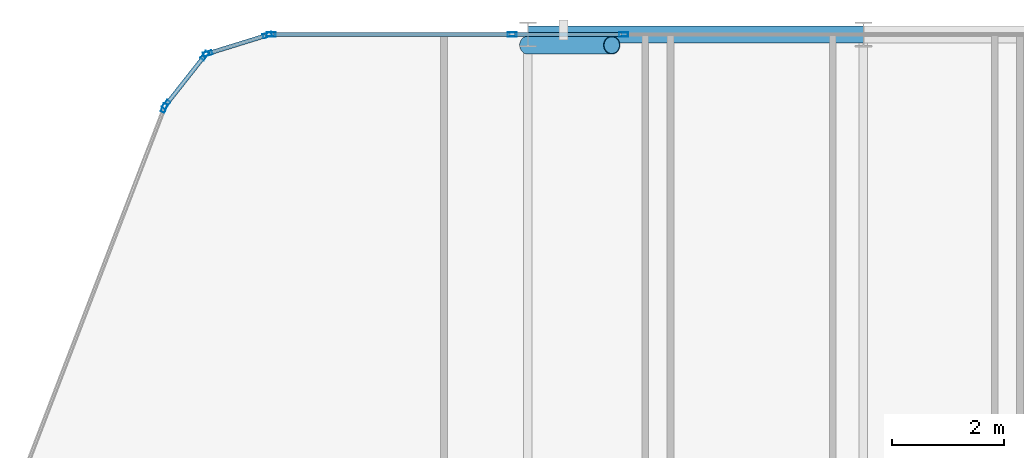
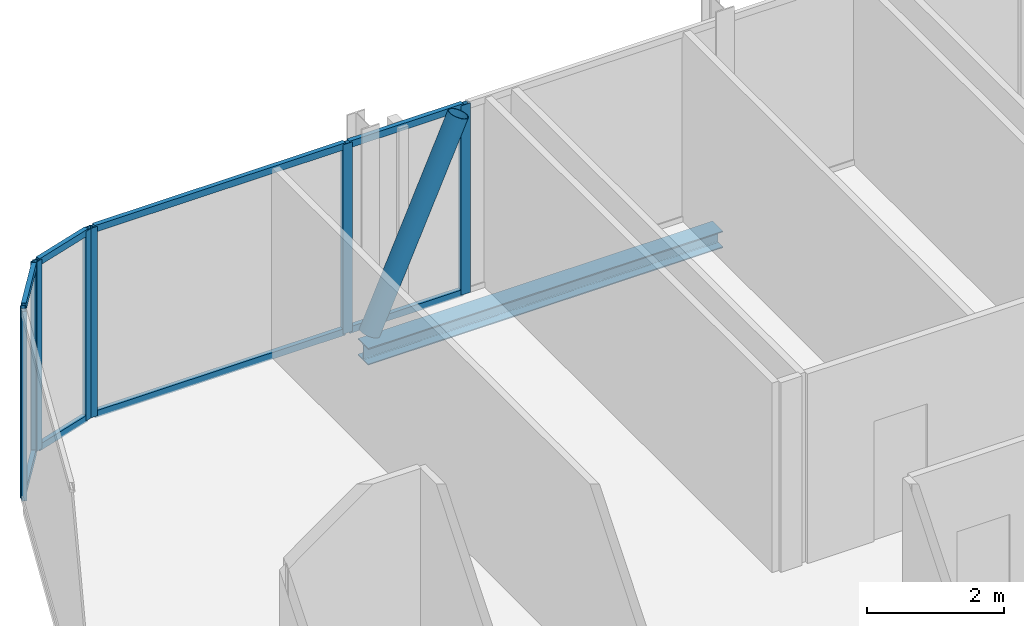
# One storey, part 18 of 29: 17 members, 1 beam, 5 elements without a shape of their own.
"""IFC4 building model written with IfcOpenShell, lengths in metres."""

import ifcopenshell
import ifcopenshell.guid

model = None  # the IFC model being written
_history = None  # IfcOwnerHistory: only IFC2X3 demands one
_inside = {}  # id of a spatial element -> (the spatial element, [elements in it])
_under = {}  # id of a project, library or spatial element -> (it, [spatial elements below it])
_declared = {}  # id of a project -> (the project, [libraries it declares])
_typed = {}  # id of a type object -> (the type object, [elements of that type])
_made_of = {}  # id of a material, layer set ... -> (it, [elements and type objects made of it])


def new_model(schema):
    """Start an empty IFC model of exactly this schema.

    Asked for "IFC4X3", IfcOpenShell would pick the latest addendum, in which some entities
    have other attributes; the version numbers below select the first issue.
    IFC2X3 requires an IfcOwnerHistory on every rooted entity: one is made here for all.
    """
    global model, _history
    if schema == "IFC4X3":
        model = ifcopenshell.file(schema_version=(4, 3, 0, 0))
    else:
        model = ifcopenshell.file(schema=schema)
    _inside.clear()
    _under.clear()
    _declared.clear()
    _typed.clear()
    _made_of.clear()
    _history = None
    if model.schema == "IFC2X3":
        org = make("IfcOrganization", Name="unknown")
        user = make(
            "IfcPersonAndOrganization",
            ThePerson=make("IfcPerson", FamilyName="unknown"),
            TheOrganization=org,
        )
        app = make(
            "IfcApplication",
            ApplicationDeveloper=org,
            Version="unknown",
            ApplicationFullName="unknown",
            ApplicationIdentifier="unknown",
        )
        _history = make(
            "IfcOwnerHistory",
            OwningUser=user,
            OwningApplication=app,
            ChangeAction="ADDED",
            CreationDate=0,
        )
    return model


def make(cls, **values):
    """One entity of the class cls with the attributes given. An attribute that is None is left unset."""
    return model.create_entity(
        cls, **{name: value for name, value in values.items() if value is not None}
    )


def rooted(cls, **values):
    """An entity with a GlobalId (a new one), such as an element, a storey or a relation."""
    return make(cls, GlobalId=ifcopenshell.guid.new(), OwnerHistory=_history, **values)


def si_unit(unit_type, name, prefix=None):
    """IfcSIUnit, for example si_unit("LENGTHUNIT", "METRE", prefix="MILLI")."""
    return make("IfcSIUnit", UnitType=unit_type, Prefix=prefix, Name=name)


def assignment(units):
    """IfcUnitAssignment: the units of a project."""
    return None if units is None else make("IfcUnitAssignment", Units=units)


def point(xyz):
    """IfcCartesianPoint."""
    return None if xyz is None else make("IfcCartesianPoint", Coordinates=xyz)


def direction(xyz):
    """IfcDirection."""
    return None if xyz is None else make("IfcDirection", DirectionRatios=xyz)


def frame(location, z_axis=None, x_axis=None):
    """IfcAxis2Placement3D, a coordinate frame: its origin and axes. An axis left out is left unset."""
    return make(
        "IfcAxis2Placement3D",
        Location=point(location),
        Axis=direction(z_axis),
        RefDirection=direction(x_axis),
    )


def frame_2d(location, x_axis=None):
    """IfcAxis2Placement2D, a coordinate frame in the plane: its origin and x axis."""
    return make(
        "IfcAxis2Placement2D", Location=point(location), RefDirection=direction(x_axis)
    )


def origin():
    """The frame at (0, 0, 0) with its axes left unset."""
    return frame((0.0, 0.0, 0.0))


def origin_2d():
    """The frame at (0, 0) in the plane with its x axis left unset."""
    return frame_2d((0.0, 0.0))


def place(relative_to, where):
    """IfcLocalPlacement: puts the frame where relative to a parent placement (None: the world)."""
    return make(
        "IfcLocalPlacement", PlacementRelTo=relative_to, RelativePlacement=where
    )


def context(
    kind, dimensions, precision=None, world=None, true_north=None, identifier=None
):
    """IfcGeometricRepresentationContext, for example the 3D "Model" context."""
    return make(
        "IfcGeometricRepresentationContext",
        ContextIdentifier=identifier,
        ContextType=kind,
        CoordinateSpaceDimension=dimensions,
        Precision=precision,
        WorldCoordinateSystem=world,
        TrueNorth=true_north,
    )


def subcontext(parent, identifier, kind, view, scale=None):
    """IfcGeometricRepresentationSubContext, for example "Body" below "Model"."""
    return make(
        "IfcGeometricRepresentationSubContext",
        ContextIdentifier=identifier,
        ContextType=kind,
        ParentContext=parent,
        TargetScale=scale,
        TargetView=view,
    )


def project(units=None, contexts=None):
    """IfcProject with its units and contexts."""
    return rooted(
        "IfcProject",
        Name="project",
        RepresentationContexts=contexts,
        UnitsInContext=assignment(units),
    )


def spatial(cls, under=None, at=None, **own):
    """A site, building, storey or space (cls), placed at a placement, below another one or the project."""
    s = rooted(cls, ObjectPlacement=at, **own)
    if under is not None:
        _under.setdefault(under.id(), (under, []))[1].append(s)
    return s


def profile(cls, at=None, kind="AREA", **sizes):
    """A parametric profile (cls). Its sizes go by their IFC names, for example OverallWidth=200.0."""
    return make(cls, ProfileType=kind, Position=at, **sizes)


def hollow_rectangle(**sizes):
    """IfcRectangleHollowProfileDef."""
    return profile("IfcRectangleHollowProfileDef", **sizes)


def hollow_circle(**sizes):
    """IfcCircleHollowProfileDef."""
    return profile("IfcCircleHollowProfileDef", **sizes)


def i_section(**sizes):
    """IfcIShapeProfileDef."""
    return profile("IfcIShapeProfileDef", **sizes)


def extrude(swept, where, along, depth):
    """IfcExtrudedAreaSolid: the profile swept, set in the frame where, extruded along a direction by depth."""
    return make(
        "IfcExtrudedAreaSolid",
        SweptArea=swept,
        Position=where,
        ExtrudedDirection=direction(along),
        Depth=depth,
    )


def shape(context_of_items, identifier, shape_type, items):
    """IfcShapeRepresentation: the items that make up one representation, for example the "Body"."""
    return make(
        "IfcShapeRepresentation",
        ContextOfItems=context_of_items,
        RepresentationIdentifier=identifier,
        RepresentationType=shape_type,
        Items=items,
    )


def material(Name=None, Category=None):
    """IfcMaterial."""
    return make("IfcMaterial", Name=Name, Category=Category)


def layer(
    of_material, thickness, ventilated=None, Name=None, Category=None, Priority=None
):
    """IfcMaterialLayer: one layer of a wall or slab, of a material (None: an air gap)."""
    return make(
        "IfcMaterialLayer",
        Material=of_material,
        LayerThickness=thickness,
        IsVentilated=ventilated,
        Name=Name,
        Category=Category,
        Priority=Priority,
    )


def layer_set(layers, Name=None):
    """IfcMaterialLayerSet."""
    return make("IfcMaterialLayerSet", MaterialLayers=layers, LayerSetName=Name)


def material_profile(
    of_material, cross_section, Name=None, Category=None, Priority=None
):
    """IfcMaterialProfile: a cross section and its material."""
    return make(
        "IfcMaterialProfile",
        Name=Name,
        Material=of_material,
        Profile=cross_section,
        Priority=Priority,
        Category=Category,
    )


def profile_set(profiles, Name=None, composite=None):
    """IfcMaterialProfileSet."""
    return make(
        "IfcMaterialProfileSet",
        Name=Name,
        MaterialProfiles=profiles,
        CompositeProfile=composite,
    )


def made_of(thing, what):
    """Note that an element or type object is made of a material, layer set ...; save() writes the relation."""
    if what is not None:
        _made_of.setdefault(what.id(), (what, []))[1].append(thing)
    return thing


def type_object(cls, material=None, **own):
    """A type object (cls), such as IfcWallType, which elements share."""
    return made_of(rooted(cls, **own), material)


def element(
    cls,
    number,
    at=None,
    inside=None,
    cuts=None,
    type_object=None,
    material=None,
    context=None,
    identifier="Body",
    shape_type=None,
    held_by="IfcProductDefinitionShape",
    body=None,
    shapes=None,
    **own,
):
    """One element of the class cls, such as IfcWall. Its Tag is "e" and its number.

    at: its placement. inside: the storey or other place that contains it. cuts: it is an
    opening in that element (IfcRelVoidsElement). A single representation is given by context,
    identifier, shape_type and body (its items); several are given by shapes. held_by: the class
    of the entity that holds the representations. save() writes the other relations.
    """
    e = rooted(cls, Tag="e%d" % number, ObjectPlacement=at, **own)
    if body is not None:
        shapes = [shape(context, identifier, shape_type, body)]
    if shapes is not None:
        e.Representation = make(held_by, Representations=shapes)
    if inside is not None:
        _inside.setdefault(inside.id(), (inside, []))[1].append(e)
    if cuts is not None:
        rooted(
            "IfcRelVoidsElement", RelatingBuildingElement=cuts, RelatedOpeningElement=e
        )
    if type_object is not None:
        _typed.setdefault(type_object.id(), (type_object, []))[1].append(e)
    return made_of(e, material)


def aggregate(whole, parts):
    """IfcRelAggregates: a whole, such as a stair, and the parts it consists of."""
    return rooted("IfcRelAggregates", RelatingObject=whole, RelatedObjects=parts)


def save(model, path):
    """Write the relations noted so far, then the file.

    IfcRelAggregates (storeys below a building ...), IfcRelContainedInSpatialStructure (elements
    in a storey), IfcRelDefinesByType, IfcRelAssociatesMaterial and IfcRelDeclares: one each for
    every whole, place, type object, material and project.
    """
    for whole, parts in _under.values():
        aggregate(whole, parts)
    for where, things in _inside.values():
        rooted(
            "IfcRelContainedInSpatialStructure",
            RelatedElements=things,
            RelatingStructure=where,
        )
    for kind, things in _typed.values():
        rooted("IfcRelDefinesByType", RelatedObjects=things, RelatingType=kind)
    for what, things in _made_of.values():
        rooted("IfcRelAssociatesMaterial", RelatedObjects=things, RelatingMaterial=what)
    for by, libraries in _declared.values():
        rooted("IfcRelDeclares", RelatingContext=by, RelatedDefinitions=libraries)
    model.write(path)


model = new_model("IFC4")

# Units and contexts
model_context = context("Model", 3, precision=1e-05, world=origin(), true_north=direction((0.0, 1.0)))
body_context = subcontext(model_context, "Body", "Model", "MODEL_VIEW")
ifc_project = project(units=[si_unit("LENGTHUNIT", "METRE"), si_unit("AREAUNIT", "SQUARE_METRE"), si_unit("VOLUMEUNIT", "CUBIC_METRE"), si_unit("PLANEANGLEUNIT", "RADIAN"), si_unit("MASSUNIT", "GRAM", prefix="KILO")], contexts=[model_context])

# Site, building, storey
site_placement = place(None, origin())
site = spatial("IfcSite", under=ifc_project, at=site_placement, CompositionType="ELEMENT")
building_placement = place(site_placement, origin())
building = spatial("IfcBuilding", under=site, at=building_placement, Name="Keshet Zoharim Tower", CompositionType="ELEMENT")
storey_placement = place(building_placement, frame((0.0, 0.0, 210.60009765625)))
storey = spatial("IfcBuildingStorey", under=building, at=storey_placement, Name="L52", CompositionType="ELEMENT", Elevation=210.60009765625)

# Beam
ifc_material_1 = material(Name="Steel S355", Category="steel")
ifc_material_profile_1 = material_profile(ifc_material_1, i_section(OverallWidth=0.300048828125, OverallDepth=0.300048828125, WebThickness=0.010986328125, FlangeThickness=0.01904296875, FilletRadius=0.027099609375, at=origin_2d()), Name="HEB300")
ifc_profile_set_1 = profile_set([ifc_material_profile_1], Name="Steel S355")
beam_type = type_object("IfcBeamType", Name="BM-PRI-HB300", PredefinedType="BEAM", material=ifc_profile_set_1)
beam_placement = place(storey_placement, frame((21.0, 53.89990234375, -0.460205078125), z_axis=(1.0, 0.0, 0.0), x_axis=(0.0, 1.0, 0.0)))
element("IfcBeam", 1, at=beam_placement, inside=storey, type_object=beam_type, Name="L52 Primary Girder X-019", PredefinedType="BEAM", context=body_context, shape_type="SweptSolid", body=[
    extrude(i_section(OverallWidth=0.300048828125, OverallDepth=0.300048828125, WebThickness=0.010986328125, FlangeThickness=0.01904296875, FilletRadius=0.027099609375, at=origin_2d()), origin(), (0.0, 0.0, 1.0), 6.0),
])

# Curtain wall, member
ifc_material_2 = material(Name="Aluminium 6063-T6", Category="aluminium")
ifc_layer = layer(ifc_material_2, 0.139892578125)
ifc_layer_set = layer_set([ifc_layer], Name="Aluminium 6063-T6")
curtain_wall_type = type_object("IfcCurtainWallType", Name="CW-SYS-05", PredefinedType="NOTDEFINED", material=ifc_layer_set)
curtain_wall_1_placement = place(storey_placement, origin())
curtain_wall_1 = element("IfcCurtainWall", 2, at=curtain_wall_1_placement, inside=storey, type_object=curtain_wall_type, Name="L52 Unitised Curtain Wall 13", PredefinedType="NOTDEFINED")
ifc_material_profile_2 = material_profile(ifc_material_2, hollow_rectangle(XDim=0.074951171875, YDim=0.159912109375, WallThickness=0.00390625, at=origin_2d()), Name="MUL-75x160")
ifc_profile_set_2 = profile_set([ifc_material_profile_2], Name="Aluminium 6063-T6")
member_type_1 = type_object("IfcMemberType", Name="CWM-M15", PredefinedType="MULLION", material=ifc_profile_set_2)
member_1_placement = place(storey_placement, frame((14.494384765625, 52.58544921875, 0.0), z_axis=(0.0, 0.0, 1.0), x_axis=(-0.933341404361, 0.358990003907, 0.0)))
member_1 = element("IfcMember", 3, at=member_1_placement, type_object=member_type_1, Name="CW-05 mullion 4", PredefinedType="MULLION", context=body_context, shape_type="SweptSolid", body=[
    extrude(hollow_rectangle(XDim=0.074951171875, YDim=0.159912109375, WallThickness=0.00390625, at=origin_2d()), origin(), (0.0, 0.0, 1.0), 3.389892578125),
])
aggregate(curtain_wall_1, [member_1])

# Curtain wall, members
curtain_wall_2_placement = place(storey_placement, origin())
curtain_wall_2 = element("IfcCurtainWall", 4, at=curtain_wall_2_placement, inside=storey, type_object=curtain_wall_type, Name="L52 Unitised Curtain Wall 14", PredefinedType="NOTDEFINED")
member_2_placement = place(storey_placement, frame((14.528564453125, 52.6455078125, 0.0), z_axis=(0.0, 0.0, 1.0), x_axis=(-0.785292825205, 0.619124525989, 0.0)))
member_2 = element("IfcMember", 5, at=member_2_placement, type_object=member_type_1, Name="CW-05 mullion 1", PredefinedType="MULLION", context=body_context, shape_type="SweptSolid", body=[
    extrude(hollow_rectangle(XDim=0.074951171875, YDim=0.159912109375, WallThickness=0.00390625, at=origin_2d()), origin(), (0.0, 0.0, 1.0), 3.389892578125),
])
member_3_placement = place(storey_placement, frame((15.21923828125, 53.521484375, 0.0), z_axis=(0.0, 0.0, 1.0), x_axis=(-0.785292825205, 0.619124525989, 0.0)))
member_3 = element("IfcMember", 6, at=member_3_placement, type_object=member_type_1, Name="CW-05 mullion 2", PredefinedType="MULLION", context=body_context, shape_type="SweptSolid", body=[
    extrude(hollow_rectangle(XDim=0.074951171875, YDim=0.159912109375, WallThickness=0.00390625, at=origin_2d()), origin(), (0.0, 0.0, 1.0), 3.389892578125),
])

curtain_wall_3_placement = place(storey_placement, origin())
curtain_wall_3 = element("IfcCurtainWall", 7, at=curtain_wall_3_placement, inside=storey, type_object=curtain_wall_type, Name="L52 Unitised Curtain Wall 15", PredefinedType="NOTDEFINED")
member_4_placement = place(storey_placement, frame((15.2744140625, 53.559326171875, 0.0), z_axis=(0.0, 0.0, 1.0), x_axis=(-0.295921857984, 0.955212151288, 0.0)))
member_4 = element("IfcMember", 8, at=member_4_placement, type_object=member_type_1, Name="CW-05 mullion 1", PredefinedType="MULLION", context=body_context, shape_type="SweptSolid", body=[
    extrude(hollow_rectangle(XDim=0.074951171875, YDim=0.159912109375, WallThickness=0.00390625, at=origin_2d()), origin(), (0.0, 0.0, 1.0), 3.389892578125),
])
member_5_placement = place(storey_placement, frame((16.340576171875, 53.8896484375, 0.0), z_axis=(0.0, 0.0, 1.0), x_axis=(-0.295921857984, 0.955212151288, 0.0)))
member_5 = element("IfcMember", 9, at=member_5_placement, type_object=member_type_1, Name="CW-05 mullion 2", PredefinedType="MULLION", context=body_context, shape_type="SweptSolid", body=[
    extrude(hollow_rectangle(XDim=0.074951171875, YDim=0.159912109375, WallThickness=0.00390625, at=origin_2d()), origin(), (0.0, 0.0, 1.0), 3.389892578125),
])

curtain_wall_4_placement = place(storey_placement, origin())
curtain_wall_4 = element("IfcCurtainWall", 10, at=curtain_wall_4_placement, inside=storey, type_object=curtain_wall_type, Name="L52 Unitised Curtain Wall 16", PredefinedType="NOTDEFINED")
member_6_placement = place(storey_placement, frame((16.408935546875, 53.89990234375, 0.0), z_axis=(0.0, 0.0, 1.0), x_axis=(0.0, 1.0, 0.0)))
member_6 = element("IfcMember", 11, at=member_6_placement, type_object=member_type_1, Name="CW-05 mullion 1", PredefinedType="MULLION", context=body_context, shape_type="SweptSolid", body=[
    extrude(hollow_rectangle(XDim=0.074951171875, YDim=0.159912109375, WallThickness=0.00390625, at=origin_2d()), origin(), (0.0, 0.0, 1.0), 3.389892578125),
])
member_7_placement = place(storey_placement, frame((20.716796875, 53.89990234375, 0.0), z_axis=(0.0, 0.0, 1.0), x_axis=(0.0, 1.0, 0.0)))
member_7 = element("IfcMember", 12, at=member_7_placement, type_object=member_type_1, Name="CW-05 mullion 2", PredefinedType="MULLION", context=body_context, shape_type="SweptSolid", body=[
    extrude(hollow_rectangle(XDim=0.074951171875, YDim=0.159912109375, WallThickness=0.00390625, at=origin_2d()), origin(), (0.0, 0.0, 1.0), 3.389892578125),
])

# Curtain wall, member
curtain_wall_5_placement = place(storey_placement, origin())
curtain_wall_5 = element("IfcCurtainWall", 13, at=curtain_wall_5_placement, inside=storey, type_object=curtain_wall_type, Name="L52 Unitised Curtain Wall 16 Part 2", PredefinedType="NOTDEFINED")
member_8_placement = place(storey_placement, frame((22.713134765625, 53.89990234375, 0.0), z_axis=(0.0, 0.0, 1.0), x_axis=(0.0, 1.0, 0.0)))
member_8 = element("IfcMember", 14, at=member_8_placement, type_object=member_type_1, Name="CW-05 mullion 2", PredefinedType="MULLION", context=body_context, shape_type="SweptSolid", body=[
    extrude(hollow_rectangle(XDim=0.074951171875, YDim=0.159912109375, WallThickness=0.00390625, at=origin_2d()), origin(), (0.0, 0.0, 1.0), 3.389892578125),
])

# Member
ifc_material_profile_3 = material_profile(ifc_material_2, hollow_rectangle(XDim=0.074951171875, YDim=0.1201171875, WallThickness=0.00390625, at=origin_2d()), Name="TRN-75x120")
ifc_profile_set_3 = profile_set([ifc_material_profile_3], Name="Aluminium 6063-T6")
member_type_2 = type_object("IfcMemberType", Name="CWT-T12", PredefinedType="USERDEFINED", material=ifc_profile_set_3)
member_9_placement = place(storey_placement, frame((14.55029296875, 52.6728515625, 0.034912109375), z_axis=(0.619099165969, 0.78531281837, 0.0), x_axis=(-0.78531281837, 0.619099165969, 0.0)))
member_9 = element("IfcMember", 15, at=member_9_placement, type_object=member_type_2, Name="CW-05 transom 1.1", ObjectType="TRANSOM", PredefinedType="USERDEFINED", context=body_context, shape_type="SweptSolid", body=[
    extrude(hollow_rectangle(XDim=0.074951171875, YDim=0.1201171875, WallThickness=0.00390625, at=origin_2d()), origin(), (0.0, 0.0, 1.0), 1.0458984375),
])

member_10_placement = place(storey_placement, frame((14.55029296875, 52.6728515625, 3.35498046875), z_axis=(0.619099165969, 0.78531281837, 0.0), x_axis=(-0.78531281837, 0.619099165969, 0.0)))
member_10 = element("IfcMember", 16, at=member_10_placement, type_object=member_type_2, Name="CW-05 transom 1.2", ObjectType="TRANSOM", PredefinedType="USERDEFINED", context=body_context, shape_type="SweptSolid", body=[
    extrude(hollow_rectangle(XDim=0.074951171875, YDim=0.1201171875, WallThickness=0.00390625, at=origin_2d()), origin(), (0.0, 0.0, 1.0), 1.0458984375),
])

aggregate(curtain_wall_2, [member_2, member_3, member_9, member_10])

member_11_placement = place(storey_placement, frame((15.307861328125, 53.56982421875, 0.034912109375), z_axis=(0.955212093062, 0.295922045933, 0.0), x_axis=(-0.295922045933, 0.955212093062, 0.0)))
member_11 = element("IfcMember", 17, at=member_11_placement, type_object=member_type_2, Name="CW-05 transom 1.1", ObjectType="TRANSOM", PredefinedType="USERDEFINED", context=body_context, shape_type="SweptSolid", body=[
    extrude(hollow_rectangle(XDim=0.074951171875, YDim=0.1201171875, WallThickness=0.00390625, at=origin_2d()), origin(), (0.0, 0.0, 1.0), 1.046142578125),
])

member_12_placement = place(storey_placement, frame((15.307861328125, 53.56982421875, 3.35498046875), z_axis=(0.955212093062, 0.295922045933, 0.0), x_axis=(-0.295922045933, 0.955212093062, 0.0)))
member_12 = element("IfcMember", 18, at=member_12_placement, type_object=member_type_2, Name="CW-05 transom 1.2", ObjectType="TRANSOM", PredefinedType="USERDEFINED", context=body_context, shape_type="SweptSolid", body=[
    extrude(hollow_rectangle(XDim=0.074951171875, YDim=0.1201171875, WallThickness=0.00390625, at=origin_2d()), origin(), (0.0, 0.0, 1.0), 1.046142578125),
])

aggregate(curtain_wall_3, [member_4, member_5, member_11, member_12])

member_13_placement = place(storey_placement, frame((16.444091796875, 53.89990234375, 0.034912109375), z_axis=(1.0, 0.0, 0.0), x_axis=(0.0, 1.0, 0.0)))
member_13 = element("IfcMember", 19, at=member_13_placement, type_object=member_type_2, Name="CW-05 transom 1.1", ObjectType="TRANSOM", PredefinedType="USERDEFINED", context=body_context, shape_type="SweptSolid", body=[
    extrude(hollow_rectangle(XDim=0.074951171875, YDim=0.1201171875, WallThickness=0.00390625, at=origin_2d()), origin(), (0.0, 0.0, 1.0), 4.23779296875),
])

member_14_placement = place(storey_placement, frame((16.444091796875, 53.89990234375, 3.35498046875), z_axis=(1.0, 0.0, 0.0), x_axis=(0.0, 1.0, 0.0)))
member_14 = element("IfcMember", 20, at=member_14_placement, type_object=member_type_2, Name="CW-05 transom 1.2", ObjectType="TRANSOM", PredefinedType="USERDEFINED", context=body_context, shape_type="SweptSolid", body=[
    extrude(hollow_rectangle(XDim=0.074951171875, YDim=0.1201171875, WallThickness=0.00390625, at=origin_2d()), origin(), (0.0, 0.0, 1.0), 4.23779296875),
])

aggregate(curtain_wall_4, [member_6, member_7, member_13, member_14])

member_15_placement = place(storey_placement, frame((20.751953125, 53.89990234375, 0.034912109375), z_axis=(1.0, 0.0, 0.0), x_axis=(0.0, 1.0, 0.0)))
member_15 = element("IfcMember", 21, at=member_15_placement, type_object=member_type_2, Name="CW-05 transom 1.1", ObjectType="TRANSOM", PredefinedType="USERDEFINED", context=body_context, shape_type="SweptSolid", body=[
    extrude(hollow_rectangle(XDim=0.074951171875, YDim=0.1201171875, WallThickness=0.00390625, at=origin_2d()), origin(), (0.0, 0.0, 1.0), 1.926025390625),
])

member_16_placement = place(storey_placement, frame((20.751953125, 53.89990234375, 3.35498046875), z_axis=(1.0, 0.0, 0.0), x_axis=(0.0, 1.0, 0.0)))
member_16 = element("IfcMember", 22, at=member_16_placement, type_object=member_type_2, Name="CW-05 transom 1.2", ObjectType="TRANSOM", PredefinedType="USERDEFINED", context=body_context, shape_type="SweptSolid", body=[
    extrude(hollow_rectangle(XDim=0.074951171875, YDim=0.1201171875, WallThickness=0.00390625, at=origin_2d()), origin(), (0.0, 0.0, 1.0), 1.926025390625),
])

aggregate(curtain_wall_5, [member_8, member_15, member_16])

ifc_material_profile_4 = material_profile(ifc_material_1, hollow_circle(Radius=0.161865234375, WallThickness=0.012451171875, at=origin_2d()), Name="CHS323x12.5")
ifc_profile_set_4 = profile_set([ifc_material_profile_4], Name="Steel S355")
member_type_3 = type_object("IfcMemberType", Name="MB-BR-C323", PredefinedType="BRACE", material=ifc_profile_set_4)
member_17_placement = place(storey_placement, frame((21.0, 53.7099609375, 0.0), z_axis=(0.40464689807, 0.0, 0.914473011019), x_axis=(0.0, 1.0, 0.0)))
element("IfcMember", 23, at=member_17_placement, inside=storey, type_object=member_type_3, Name="L52 Perimeter Tube Brace 02", PredefinedType="BRACE", context=body_context, shape_type="SweptSolid", body=[
    extrude(hollow_circle(Radius=0.161865234375, WallThickness=0.012451171875, at=origin_2d()), origin(), (0.0, 0.0, 1.0), 3.70703125),
])

save(model, "model.ifc")
